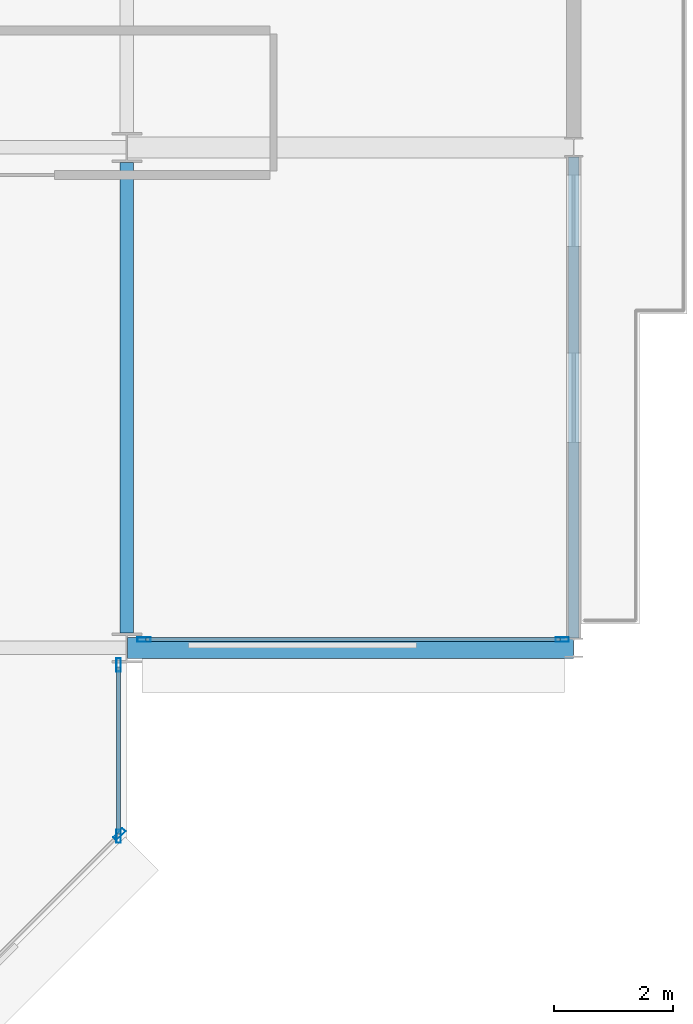
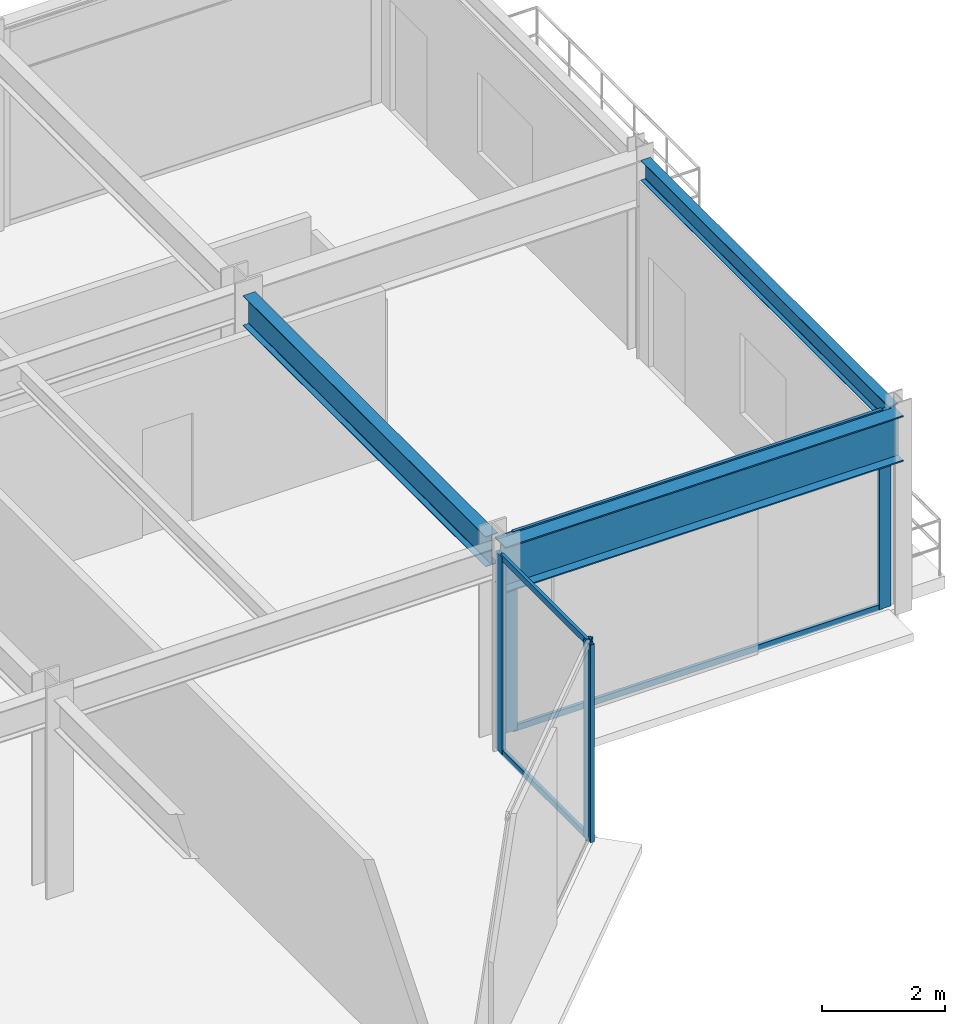
# One storey, part 13 of 27: 9 members, 3 beams, 3 elements without a shape of their own.
"""IFC4 building model written with IfcOpenShell, lengths in metres."""

from ifc_helpers import new_model, si_unit, direction, frame, origin, origin_2d, place, context, subcontext, project, spatial, hollow_rectangle, i_section, extrude, material, layer, layer_set, material_profile, profile_set, type_object, element, aggregate, save


model = new_model("IFC4")

# Units and contexts
model_context = context("Model", 3, precision=1e-05, world=origin(), true_north=direction((0.0, 1.0)))
body_context = subcontext(model_context, "Body", "Model", "MODEL_VIEW")
ifc_project = project(units=[si_unit("LENGTHUNIT", "METRE"), si_unit("AREAUNIT", "SQUARE_METRE"), si_unit("VOLUMEUNIT", "CUBIC_METRE"), si_unit("PLANEANGLEUNIT", "RADIAN"), si_unit("MASSUNIT", "GRAM", prefix="KILO")], contexts=[model_context])

# Site, building, storey
site_placement = place(None, origin())
site = spatial("IfcSite", under=ifc_project, at=site_placement, CompositionType="ELEMENT")
building_placement = place(site_placement, origin())
building = spatial("IfcBuilding", under=site, at=building_placement, Name="Nerrivon Quay Data Exchange", CompositionType="ELEMENT")
storey_placement = place(building_placement, frame((0.0, 0.0, 66.800048828125)))
storey = spatial("IfcBuildingStorey", under=building, at=storey_placement, Name="L15", CompositionType="ELEMENT", Elevation=66.800048828125)

# Beams
ifc_material_1 = material(Name="Steel Grade 350", Category="steel")
ifc_material_profile_1 = material_profile(ifc_material_1, i_section(OverallWidth=0.35009765625, OverallDepth=0.909912109375, WebThickness=0.011962890625, FlangeThickness=0.02490234375, at=origin_2d()), Name="900WB218")
ifc_profile_set_1 = profile_set([ifc_material_profile_1], Name="Steel Grade 350")
beam_type_1 = type_object("IfcBeamType", Name="BM-CANT-900WB", PredefinedType="USERDEFINED", material=ifc_profile_set_1)
beam_1_placement = place(storey_placement, frame((50.4140625, 8.39990234375, 3.469970703125), z_axis=(1.0, 0.0, 0.0), x_axis=(0.0, 1.0, 0.0)))
element("IfcBeam", 1, at=beam_1_placement, inside=storey, type_object=beam_type_1, Name="L15 East Hooked Cantilever Girder Y=8.4", ObjectType="TRANSFER", PredefinedType="USERDEFINED", context=body_context, shape_type="SweptSolid", body=[
    extrude(i_section(OverallWidth=0.35009765625, OverallDepth=0.909912109375, WebThickness=0.011962890625, FlangeThickness=0.02490234375, at=origin_2d()), origin(), (0.0, 0.0, 1.0), 7.47802734375),
])
ifc_material_profile_2 = material_profile(ifc_material_1, i_section(OverallWidth=0.22802734375, OverallDepth=0.60205078125, WebThickness=0.010498046875, FlangeThickness=0.014892578125, FilletRadius=0.013916015625, at=origin_2d()), Name="610UB101")
ifc_profile_set_2 = profile_set([ifc_material_profile_2], Name="Steel Grade 350")
beam_type_2 = type_object("IfcBeamType", Name="BM-G2-610UB101", PredefinedType="BEAM", material=ifc_profile_set_2)
beam_2_placement = place(storey_placement, frame((50.39990234375, 8.64990234375, 3.6240234375), z_axis=(0.0, 1.0, 0.0), x_axis=(-1.0, 0.0, 0.0)))
element("IfcBeam", 2, at=beam_2_placement, inside=storey, type_object=beam_type_2, Name="L15 NS Girder X=50.4 (8.4..16.8)", PredefinedType="BEAM", context=body_context, shape_type="SweptSolid", body=[
    extrude(i_section(OverallWidth=0.22802734375, OverallDepth=0.60205078125, WebThickness=0.010498046875, FlangeThickness=0.014892578125, FilletRadius=0.013916015625, at=origin_2d()), origin(), (0.0, 0.0, 1.0), 7.900146484375),
])
ifc_material_profile_3 = material_profile(ifc_material_1, i_section(OverallWidth=0.177978515625, OverallDepth=0.403076171875, WebThickness=0.007568359375, FlangeThickness=0.010986328125, FilletRadius=0.011474609375, at=origin_2d()), Name="410UB53.7")
ifc_profile_set_3 = profile_set([ifc_material_profile_3], Name="Steel Grade 350")
beam_type_3 = type_object("IfcBeamType", Name="BM-SP2-410UB54", PredefinedType="SPANDREL", material=ifc_profile_set_3)
beam_3_placement = place(storey_placement, frame((57.89990234375, 8.5634765625, 3.723388671875), z_axis=(0.0, 1.0, 0.0), x_axis=(-1.0, 0.0, 0.0)))
element("IfcBeam", 3, at=beam_3_placement, inside=storey, type_object=beam_type_3, Name="L15 East Hooked Edge Spandrel", PredefinedType="SPANDREL", context=body_context, shape_type="SweptSolid", body=[
    extrude(i_section(OverallWidth=0.177978515625, OverallDepth=0.403076171875, WebThickness=0.007568359375, FlangeThickness=0.010986328125, FilletRadius=0.011474609375, at=origin_2d()), origin(), (0.0, 0.0, 1.0), 8.072998046875),
])

# Curtain wall, members
ifc_material_2 = material(Name="Anodised aluminium 6063-T6", Category="aluminium")
ifc_layer_1 = layer(ifc_material_2, 0.199951171875)
ifc_layer_set_1 = layer_set([ifc_layer_1], Name="Anodised aluminium 6063-T6")
curtain_wall_type_1 = type_object("IfcCurtainWallType", Name="CW-SYS-04", PredefinedType="NOTDEFINED", material=ifc_layer_set_1)
curtain_wall_1_placement = place(storey_placement, origin())
curtain_wall_1 = element("IfcCurtainWall", 4, at=curtain_wall_1_placement, inside=storey, type_object=curtain_wall_type_1, Name="L15 Unitised Curtain Wall 3", PredefinedType="NOTDEFINED")
ifc_material_profile_4 = material_profile(ifc_material_2, hollow_rectangle(XDim=0.074951171875, YDim=0.219970703125, WallThickness=0.00390625, at=origin_2d()), Name="ALU-MULL-220x75")
ifc_profile_set_4 = profile_set([ifc_material_profile_4], Name="Anodised aluminium 6063-T6")
member_type_1 = type_object("IfcMemberType", Name="CWM-220x75", PredefinedType="MULLION", material=ifc_profile_set_4)
member_1_placement = place(storey_placement, frame((57.70703125, 8.5400390625, 0.0), z_axis=(0.0, 0.0, 1.0), x_axis=(0.0, -1.0, 0.0)))
member_1 = element("IfcMember", 5, at=member_1_placement, type_object=member_type_1, Name="CW04 mullion 1", PredefinedType="MULLION", context=body_context, shape_type="SweptSolid", body=[
    extrude(hollow_rectangle(XDim=0.074951171875, YDim=0.219970703125, WallThickness=0.00390625, at=origin_2d()), origin(), (0.0, 0.0, 1.0), 3.925048828125),
])
member_2_placement = place(storey_placement, frame((50.6875, 8.5400390625, 0.0), z_axis=(0.0, 0.0, 1.0), x_axis=(0.0, -1.0, 0.0)))
member_2 = element("IfcMember", 6, at=member_2_placement, type_object=member_type_1, Name="CW04 mullion 2", PredefinedType="MULLION", context=body_context, shape_type="SweptSolid", body=[
    extrude(hollow_rectangle(XDim=0.074951171875, YDim=0.219970703125, WallThickness=0.00390625, at=origin_2d()), origin(), (0.0, 0.0, 1.0), 3.925048828125),
])

ifc_layer_2 = layer(ifc_material_2, 0.219970703125)
ifc_layer_set_2 = layer_set([ifc_layer_2], Name="Anodised aluminium 6063-T6")
curtain_wall_type_2 = type_object("IfcCurtainWallType", Name="CW-SYS-01", PredefinedType="NOTDEFINED", material=ifc_layer_set_2)
curtain_wall_2_placement = place(storey_placement, origin())
curtain_wall_2 = element("IfcCurtainWall", 7, at=curtain_wall_2_placement, inside=storey, type_object=curtain_wall_type_2, Name="L15 Unitised Curtain Wall 4", PredefinedType="NOTDEFINED")
member_3_placement = place(storey_placement, frame((50.260009765625, 8.112548828125, 0.0), z_axis=(0.0, 0.0, 1.0), x_axis=(1.0, 0.0, 0.0)))
member_3 = element("IfcMember", 8, at=member_3_placement, type_object=member_type_1, Name="CW01 mullion 1", PredefinedType="MULLION", context=body_context, shape_type="SweptSolid", body=[
    extrude(hollow_rectangle(XDim=0.074951171875, YDim=0.219970703125, WallThickness=0.00390625, at=origin_2d()), origin(), (0.0, 0.0, 1.0), 3.925048828125),
])
member_4_placement = place(storey_placement, frame((50.260009765625, 5.237548828125, 0.0), z_axis=(0.0, 0.0, 1.0), x_axis=(1.0, 0.0, 0.0)))
member_4 = element("IfcMember", 9, at=member_4_placement, type_object=member_type_1, Name="CW01 mullion 2", PredefinedType="MULLION", context=body_context, shape_type="SweptSolid", body=[
    extrude(hollow_rectangle(XDim=0.074951171875, YDim=0.219970703125, WallThickness=0.00390625, at=origin_2d()), origin(), (0.0, 0.0, 1.0), 3.925048828125),
])

# Curtain wall, member
curtain_wall_3_placement = place(storey_placement, origin())
curtain_wall_3 = element("IfcCurtainWall", 10, at=curtain_wall_3_placement, inside=storey, type_object=curtain_wall_type_2, Name="L15 Unitised Curtain Wall 5", PredefinedType="NOTDEFINED")
member_5_placement = place(storey_placement, frame((50.2744140625, 5.2724609375, 0.0), z_axis=(0.0, 0.0, 1.0), x_axis=(0.707106781187, -0.707106781187, 0.0)))
member_5 = element("IfcMember", 11, at=member_5_placement, type_object=member_type_1, Name="CW01 mullion 1", PredefinedType="MULLION", context=body_context, shape_type="SweptSolid", body=[
    extrude(hollow_rectangle(XDim=0.074951171875, YDim=0.219970703125, WallThickness=0.00390625, at=origin_2d()), origin(), (0.0, 0.0, 1.0), 3.925048828125),
])
aggregate(curtain_wall_3, [member_5])

# Member
ifc_material_profile_5 = material_profile(ifc_material_2, hollow_rectangle(XDim=0.06005859375, YDim=0.1201171875, WallThickness=0.003173828125, at=origin_2d()), Name="ALU-TRAN-120x60")
ifc_profile_set_5 = profile_set([ifc_material_profile_5], Name="Anodised aluminium 6063-T6")
member_type_2 = type_object("IfcMemberType", Name="CWT-120x60", PredefinedType="USERDEFINED", material=ifc_profile_set_5)
member_6_placement = place(storey_placement, frame((57.66943359375, 8.5400390625, 0.032470703125), z_axis=(-1.0, 0.0, 0.0), x_axis=(0.0, -1.0, 0.0)))
member_6 = element("IfcMember", 12, at=member_6_placement, type_object=member_type_2, Name="CW04 transom 1.1", ObjectType="TRANSOM", PredefinedType="USERDEFINED", context=body_context, shape_type="SweptSolid", body=[
    extrude(hollow_rectangle(XDim=0.06005859375, YDim=0.1201171875, WallThickness=0.003173828125, at=origin_2d()), origin(), (0.0, 0.0, 1.0), 6.9443359375),
])

member_7_placement = place(storey_placement, frame((57.66943359375, 8.5400390625, 3.892333984375), z_axis=(-1.0, 0.0, 0.0), x_axis=(0.0, -1.0, 0.0)))
member_7 = element("IfcMember", 13, at=member_7_placement, type_object=member_type_2, Name="CW04 transom 1.2", ObjectType="TRANSOM", PredefinedType="USERDEFINED", context=body_context, shape_type="SweptSolid", body=[
    extrude(hollow_rectangle(XDim=0.06005859375, YDim=0.1201171875, WallThickness=0.003173828125, at=origin_2d()), origin(), (0.0, 0.0, 1.0), 6.9443359375),
])

aggregate(curtain_wall_1, [member_1, member_2, member_6, member_7])

member_8_placement = place(storey_placement, frame((50.260009765625, 8.074951171875, 0.032470703125), z_axis=(0.0, -1.0, 0.0), x_axis=(1.0, 0.0, 0.0)))
member_8 = element("IfcMember", 14, at=member_8_placement, type_object=member_type_2, Name="CW01 transom 1.1", ObjectType="TRANSOM", PredefinedType="USERDEFINED", context=body_context, shape_type="SweptSolid", body=[
    extrude(hollow_rectangle(XDim=0.06005859375, YDim=0.1201171875, WallThickness=0.003173828125, at=origin_2d()), origin(), (0.0, 0.0, 1.0), 2.800048828125),
])

member_9_placement = place(storey_placement, frame((50.260009765625, 8.074951171875, 3.892333984375), z_axis=(0.0, -1.0, 0.0), x_axis=(1.0, 0.0, 0.0)))
member_9 = element("IfcMember", 15, at=member_9_placement, type_object=member_type_2, Name="CW01 transom 1.2", ObjectType="TRANSOM", PredefinedType="USERDEFINED", context=body_context, shape_type="SweptSolid", body=[
    extrude(hollow_rectangle(XDim=0.06005859375, YDim=0.1201171875, WallThickness=0.003173828125, at=origin_2d()), origin(), (0.0, 0.0, 1.0), 2.800048828125),
])

aggregate(curtain_wall_2, [member_3, member_4, member_8, member_9])

save(model, "model.ifc")
